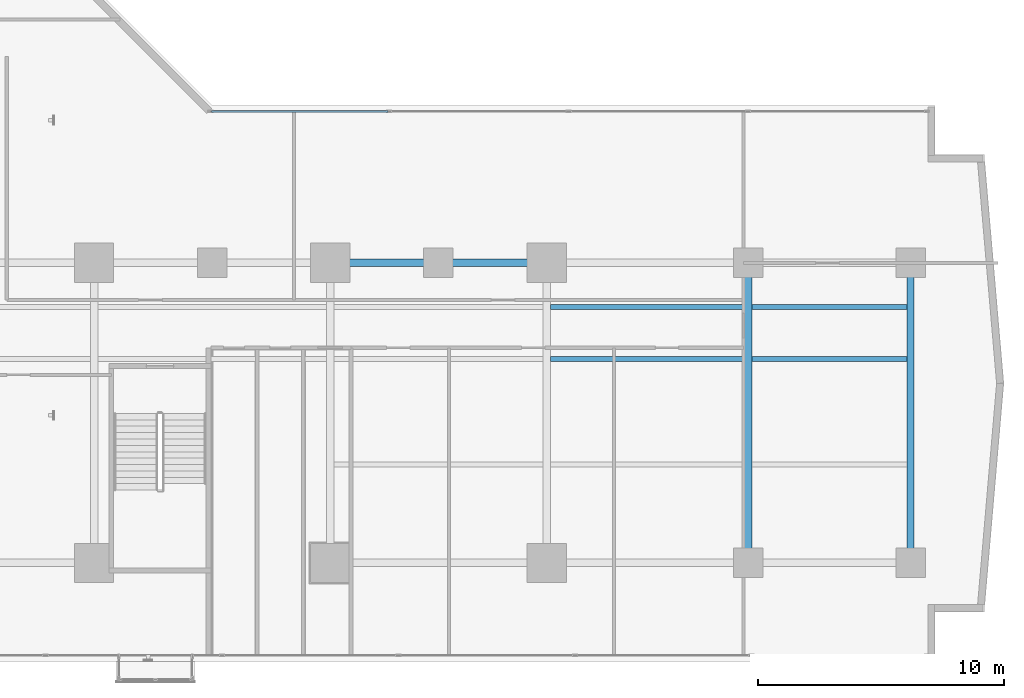
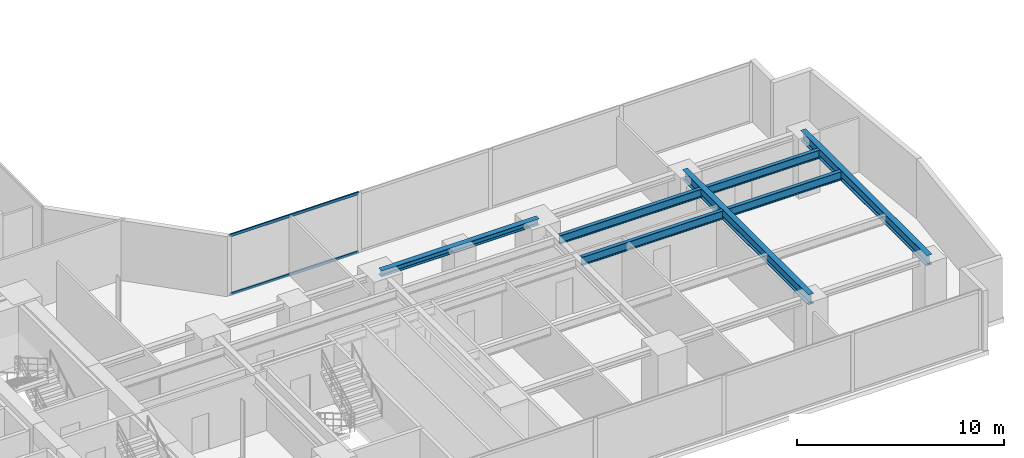
# One storey, part 12 of 27: 7 beams, 2 members, 1 element without a shape of its own.
"""IFC4 building model written with IfcOpenShell, lengths in metres."""

from ifc_helpers import new_model, si_unit, direction, frame, origin, origin_with_axes, origin_2d, place, context, subcontext, project, spatial, hollow_rectangle, i_section, extrude, source, transform, mapped, material, layer, layer_set, material_profile, profile_set, type_object, element, aggregate, save


model = new_model("IFC4")

# Units and contexts
model_context = context("Model", 3, precision=1e-05, world=origin(), true_north=direction((0.0, 1.0)))
body_context = subcontext(model_context, "Body", "Model", "MODEL_VIEW")
ifc_project = project(units=[si_unit("LENGTHUNIT", "METRE"), si_unit("AREAUNIT", "SQUARE_METRE"), si_unit("VOLUMEUNIT", "CUBIC_METRE"), si_unit("PLANEANGLEUNIT", "RADIAN"), si_unit("MASSUNIT", "GRAM", prefix="KILO")], contexts=[model_context])

# Site, building, storey
site_placement = place(None, origin())
site = spatial("IfcSite", under=ifc_project, at=site_placement, CompositionType="ELEMENT")
building_placement = place(site_placement, origin())
building = spatial("IfcBuilding", under=site, at=building_placement, Name="Kolvaren Waterfront Exchange", CompositionType="ELEMENT")
storey_placement = place(building_placement, frame((0.0, 0.0, 63.800048828125)))
storey = spatial("IfcBuildingStorey", under=building, at=storey_placement, Name="L16", CompositionType="ELEMENT", Elevation=63.800048828125)

# Beams
ifc_material_1 = material(Name="Steel S355", Category="steel")
ifc_material_profile_1 = material_profile(ifc_material_1, i_section(OverallWidth=0.300048828125, OverallDepth=0.360107421875, WebThickness=0.012451171875, FlangeThickness=0.0224609375, FilletRadius=0.027099609375, at=origin_2d()), Name="HEB360")
ifc_profile_set_1 = profile_set([ifc_material_profile_1], Name="Steel S355")
beam_type_1 = type_object("IfcBeamType", Name="STR-BM-HEB360", PredefinedType="SPANDREL", material=ifc_profile_set_1)
beam_placement = place(storey_placement, frame((36.800048828125, 17.39990234375, 3.35986328125), z_axis=(1.0, 0.0, 0.0), x_axis=(0.0, 1.0, 0.0)))
element("IfcBeam", 1, at=beam_placement, inside=storey, type_object=beam_type_1, Name="L16 east-arm spandrel N3", PredefinedType="SPANDREL", context=body_context, shape_type="SweptSolid", body=[
    extrude(i_section(OverallWidth=0.300048828125, OverallDepth=0.360107421875, WebThickness=0.012451171875, FlangeThickness=0.0224609375, FilletRadius=0.027099609375, at=origin_2d()), origin(), (0.0, 0.0, 1.0), 8.800048828125),
])
ifc_material_profile_2 = material_profile(ifc_material_1, i_section(OverallWidth=0.300048828125, OverallDepth=0.60009765625, WebThickness=0.015380859375, FlangeThickness=0.030029296875, FilletRadius=0.027099609375, at=origin_2d()), Name="HEB600")
ifc_profile_set_2 = profile_set([ifc_material_profile_2], Name="Steel S355")
beam_type_2 = type_object("IfcBeamType", Name="STR-BM-HEB600", PredefinedType="BEAM", material=ifc_profile_set_2)
for number, where, z_axis, x_axis, name in (
    (2, (53.800048828125, 5.199951171875, 3.239990234375), (0.0, 1.0, 0.0), (-1.0, 0.0, 0.0), "L16 east-arm transverse girder X53"),
    (3, (60.39990234375, 5.199951171875, 3.239990234375), (0.0, 1.0, 0.0), (-1.0, 0.0, 0.0), "L16 east-arm transverse girder X60"),
):
    element("IfcBeam", number, at=place(storey_placement, frame(where, z_axis=z_axis, x_axis=x_axis)), inside=storey, type_object=beam_type_2, Name=name, PredefinedType="BEAM", context=body_context, shape_type="SweptSolid", body=[
        extrude(i_section(OverallWidth=0.300048828125, OverallDepth=0.60009765625, WebThickness=0.015380859375, FlangeThickness=0.030029296875, FilletRadius=0.027099609375, at=origin_2d()), origin(), (0.0, 0.0, 1.0), 12.199951171875),
    ])
ifc_material_profile_3 = material_profile(ifc_material_1, i_section(OverallWidth=0.199951171875, OverallDepth=0.5, WebThickness=0.01025390625, FlangeThickness=0.01611328125, FilletRadius=0.02099609375, at=origin_2d()), Name="IPE500")
ifc_profile_set_3 = profile_set([ifc_material_profile_3], Name="Steel S355")
beam_type_3 = type_object("IfcBeamType", Name="STR-BM-IPE500", PredefinedType="JOIST", material=ifc_profile_set_3)
for number, where, z_axis, x_axis, name in (
    (4, (45.751953125, 13.5, 3.2900390625), (1.0, 0.0, 0.0), (0.0, 1.0, 0.0), "L16 east-arm composite joist 4A"),
    (5, (45.751953125, 15.60009765625, 3.2900390625), (1.0, 0.0, 0.0), (0.0, 1.0, 0.0), "L16 east-arm composite joist 4C"),
):
    element("IfcBeam", number, at=place(storey_placement, frame(where, z_axis=z_axis, x_axis=x_axis)), inside=storey, type_object=beam_type_3, Name=name, PredefinedType="JOIST", context=body_context, shape_type="SweptSolid", body=[
        extrude(i_section(OverallWidth=0.199951171875, OverallDepth=0.5, WebThickness=0.01025390625, FlangeThickness=0.01611328125, FilletRadius=0.02099609375, at=origin_2d()), origin(), (0.0, 0.0, 1.0), 7.89599609375),
    ])
for number, where, z_axis, x_axis, name in (
    (6, (53.951904296875, 13.5, 3.2900390625), (1.0, 0.0, 0.0), (0.0, 1.0, 0.0), "L16 east-arm composite joist 5A"),
    (7, (53.951904296875, 15.60009765625, 3.2900390625), (1.0, 0.0, 0.0), (0.0, 1.0, 0.0), "L16 east-arm composite joist 5C"),
):
    element("IfcBeam", number, at=place(storey_placement, frame(where, z_axis=z_axis, x_axis=x_axis)), inside=storey, type_object=beam_type_3, Name=name, PredefinedType="JOIST", context=body_context, shape_type="SweptSolid", body=[
        extrude(i_section(OverallWidth=0.199951171875, OverallDepth=0.5, WebThickness=0.01025390625, FlangeThickness=0.01611328125, FilletRadius=0.02099609375, at=origin_2d()), origin(), (0.0, 0.0, 1.0), 6.296142578125),
    ])

# Curtain wall, members
ifc_material_2 = material(Name="Anodised bronze aluminium 6063-T6", Category="aluminium")
ifc_layer = layer(ifc_material_2, 0.219970703125, Name="Anodised bronze aluminium 6063-T6")
ifc_layer_set = layer_set([ifc_layer], Name="Anodised bronze aluminium 6063-T6")
curtain_wall_type = type_object("IfcCurtainWallType", Name="ARC-CW-SYS1", PredefinedType="USERDEFINED", material=ifc_layer_set)
curtain_wall_placement = place(storey_placement, origin())
curtain_wall = element("IfcCurtainWall", 8, at=curtain_wall_placement, inside=storey, type_object=curtain_wall_type, Name="L16 stick curtain wall CW1 (CW-L16-EN)", ObjectType="STICK CURTAIN WALL", PredefinedType="USERDEFINED")
ifc_material_3 = material(Name="Anodised aluminium 6063-T6", Category="aluminium")
ifc_material_profile_4 = material_profile(ifc_material_3, hollow_rectangle(XDim=0.074951171875, YDim=0.159912109375, WallThickness=0.00439453125, at=origin_2d()), Name="ALU-TRN-160x75x4.5")
ifc_profile_set_4 = profile_set([ifc_material_profile_4], Name="Anodised aluminium 6063-T6")
member_type = type_object("IfcMemberType", Name="ARC-CWT-160", PredefinedType="USERDEFINED", material=ifc_profile_set_4)
shared_shape = source(origin_with_axes(), body_context, "Body", "SweptSolid", [
    extrude(hollow_rectangle(XDim=0.074951171875, YDim=0.159912109375, WallThickness=0.00439453125, at=origin_2d()), origin(), (0.0, 0.0, 1.0), 7.1826171875),
])
member_1_placement = place(storey_placement, frame((31.969970703125, 23.56005859375, 0.037353515625), z_axis=(1.0, 0.0, 0.0), x_axis=(0.0, 1.0, 0.0)))
member_1 = element("IfcMember", 9, at=member_1_placement, type_object=member_type, Name="CW1 transom 1.1", ObjectType="TRANSOM", PredefinedType="USERDEFINED", context=body_context, shape_type="MappedRepresentation", body=[
    mapped(shared_shape, transform((0.0, 0.0, 0.0), x_axis=(1.0, 0.0, 0.0), y_axis=(0.0, 1.0, 0.0), z_axis=(0.0, 0.0, 1.0), scale=1.0)),
])
member_2_placement = place(storey_placement, frame((31.969970703125, 23.56005859375, 3.50244140625), z_axis=(1.0, 0.0, 0.0), x_axis=(0.0, 1.0, 0.0)))
member_2 = element("IfcMember", 10, at=member_2_placement, type_object=member_type, Name="CW1 transom 1.2", ObjectType="TRANSOM", PredefinedType="USERDEFINED", context=body_context, shape_type="MappedRepresentation", body=[
    mapped(shared_shape, transform((0.0, 0.0, 0.0), x_axis=(1.0, 0.0, 0.0), y_axis=(0.0, 1.0, 0.0), z_axis=(0.0, 0.0, 1.0), scale=1.0)),
])
aggregate(curtain_wall, [member_1, member_2])

save(model, "model.ifc")
